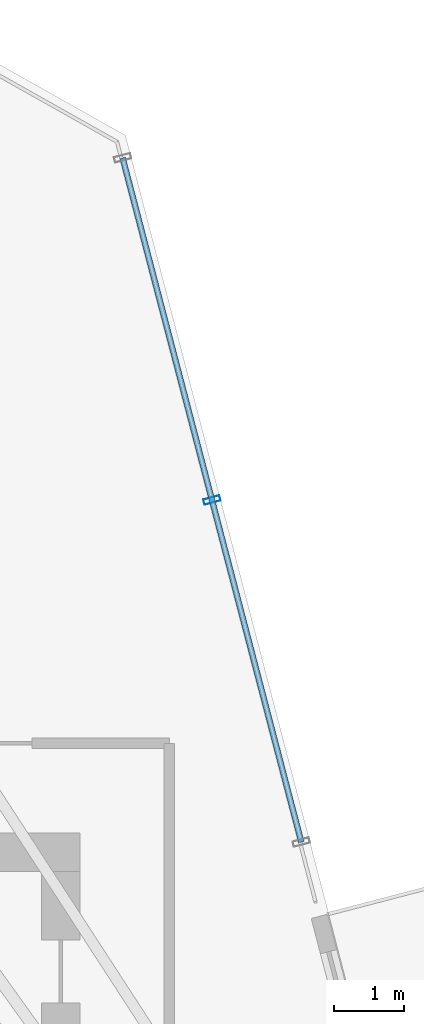
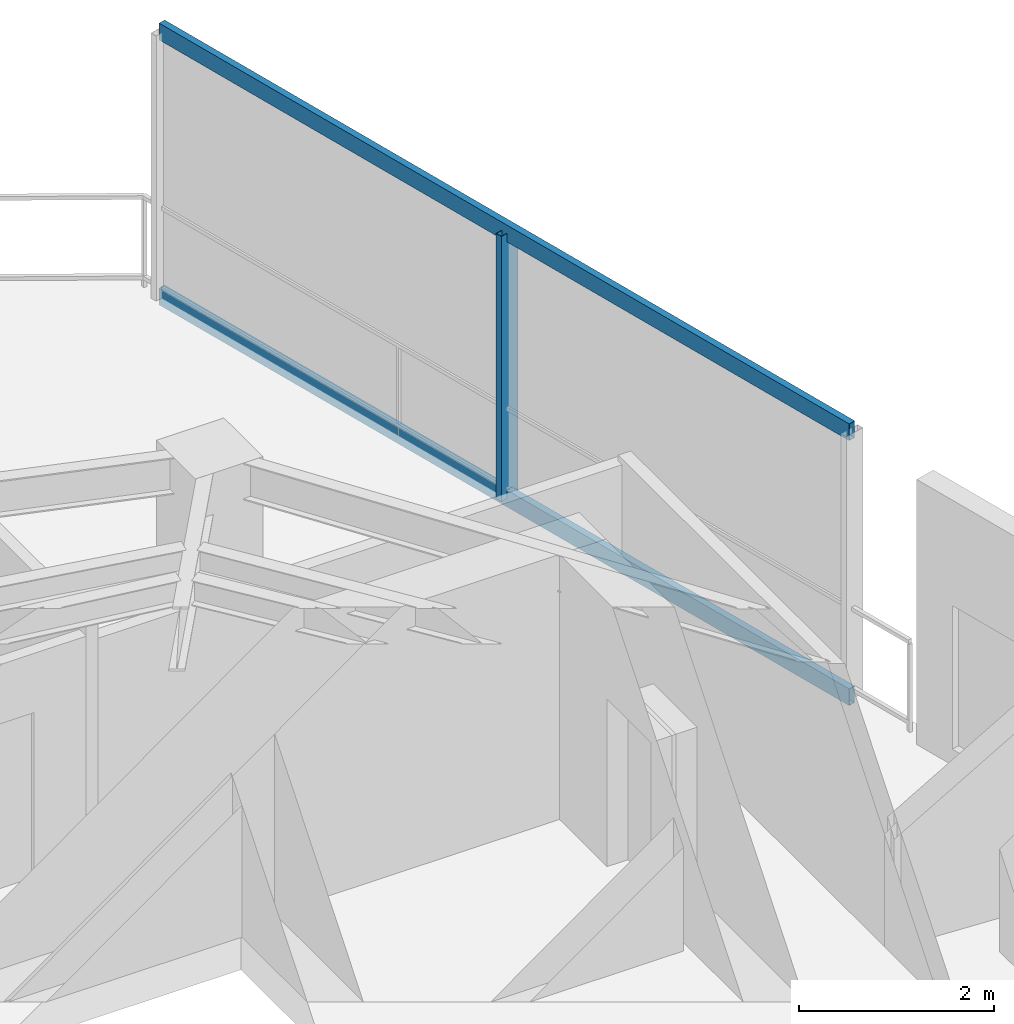
# One storey, part 12 of 19: 3 members, 1 element without a shape of its own.
"""IFC4 building model written with IfcOpenShell, lengths in metres."""

from ifc_helpers import new_model, si_unit, direction, frame, origin, origin_2d, place, context, subcontext, project, spatial, hollow_rectangle, extrude, material, layer, layer_set, material_profile, profile_set, type_object, element, aggregate, save


model = new_model("IFC4")

# Units and contexts
model_context = context("Model", 3, precision=1e-05, world=origin(), true_north=direction((0.0, 1.0)))
body_context = subcontext(model_context, "Body", "Model", "MODEL_VIEW")
ifc_project = project(units=[si_unit("LENGTHUNIT", "METRE"), si_unit("AREAUNIT", "SQUARE_METRE"), si_unit("VOLUMEUNIT", "CUBIC_METRE"), si_unit("PLANEANGLEUNIT", "RADIAN"), si_unit("MASSUNIT", "GRAM", prefix="KILO")], contexts=[model_context])

# Site, building, storey
site_placement = place(None, origin())
site = spatial("IfcSite", under=ifc_project, at=site_placement, CompositionType="ELEMENT")
building_placement = place(site_placement, origin())
building = spatial("IfcBuilding", under=site, at=building_placement, Name="Qarnah Convention Tower", CompositionType="ELEMENT")
storey_placement = place(building_placement, frame((0.0, 0.0, 235.5)))
storey = spatial("IfcBuildingStorey", under=building, at=storey_placement, Name="L63", CompositionType="ELEMENT", Elevation=235.5)

# Curtain wall, members
ifc_material_1 = material(Name="Tempered Low-E dark glass", Category="glass")
ifc_layer = layer(ifc_material_1, 0.176025390625)
ifc_layer_set = layer_set([ifc_layer], Name="Tempered Low-E dark glass")
curtain_wall_type = type_object("IfcCurtainWallType", Name="CWS-05", PredefinedType="NOTDEFINED", material=ifc_layer_set)
curtain_wall_placement = place(storey_placement, origin())
curtain_wall = element("IfcCurtainWall", 1, at=curtain_wall_placement, inside=storey, type_object=curtain_wall_type, Name="L63 unitised curtain wall CW-L63-F3", PredefinedType="NOTDEFINED")
ifc_material_2 = material(Name="Black anodised aluminium", Category="aluminium")
ifc_material_profile_1 = material_profile(ifc_material_2, hollow_rectangle(XDim=0.080078125, YDim=0.239990234375, WallThickness=0.0048828125, at=origin_2d()), Name="MUL-80X240")
ifc_profile_set_1 = profile_set([ifc_material_profile_1], Name="Black anodised aluminium")
member_type_1 = type_object("IfcMemberType", Name="MUL-T5", PredefinedType="MULLION", material=ifc_profile_set_1)
member_1_placement = place(storey_placement, frame((49.757568359375, 39.216552734375, 0.0), z_axis=(0.0, 0.0, 1.0), x_axis=(0.252724823832, -0.967538197395, 0.0)))
member_1 = element("IfcMember", 2, at=member_1_placement, type_object=member_type_1, Name="CW-L63-F3 mullion 2", PredefinedType="MULLION", context=body_context, shape_type="SweptSolid", body=[
    extrude(hollow_rectangle(XDim=0.080078125, YDim=0.239990234375, WallThickness=0.0048828125, at=origin_2d()), origin(), (0.0, 0.0, 1.0), 3.320068359375),
])
ifc_material_profile_2 = material_profile(ifc_material_2, hollow_rectangle(XDim=0.080078125, YDim=0.2099609375, WallThickness=0.0048828125, at=origin_2d()), Name="TRN-80X210")
ifc_profile_set_2 = profile_set([ifc_material_profile_2], Name="Black anodised aluminium")
member_type_2 = type_object("IfcMemberType", Name="TRN-T5", PredefinedType="USERDEFINED", material=ifc_profile_set_2)
member_2_placement = place(storey_placement, frame((48.48388671875, 44.092041015625, 0.0), z_axis=(0.252736462111, -0.967535157356, 0.0), x_axis=(0.967535157356, 0.252736462111, 0.0)))
member_2 = element("IfcMember", 3, at=member_2_placement, type_object=member_type_2, Name="CW-L63-F3 transom 1", ObjectType="TRANSOM", PredefinedType="USERDEFINED", context=body_context, shape_type="SweptSolid", body=[
    extrude(hollow_rectangle(XDim=0.080078125, YDim=0.2099609375, WallThickness=0.0048828125, at=origin_2d()), origin(), (0.0, 0.0, 1.0), 10.078125),
])
member_3_placement = place(storey_placement, frame((48.48388671875, 44.092041015625, 3.320068359375), z_axis=(0.252736462111, -0.967535157356, 0.0), x_axis=(0.967535157356, 0.252736462111, 0.0)))
member_3 = element("IfcMember", 4, at=member_3_placement, type_object=member_type_2, Name="CW-L63-F3 transom 2", ObjectType="TRANSOM", PredefinedType="USERDEFINED", context=body_context, shape_type="SweptSolid", body=[
    extrude(hollow_rectangle(XDim=0.080078125, YDim=0.2099609375, WallThickness=0.0048828125, at=origin_2d()), origin(), (0.0, 0.0, 1.0), 10.078125),
])
aggregate(curtain_wall, [member_1, member_2, member_3])

save(model, "model.ifc")
